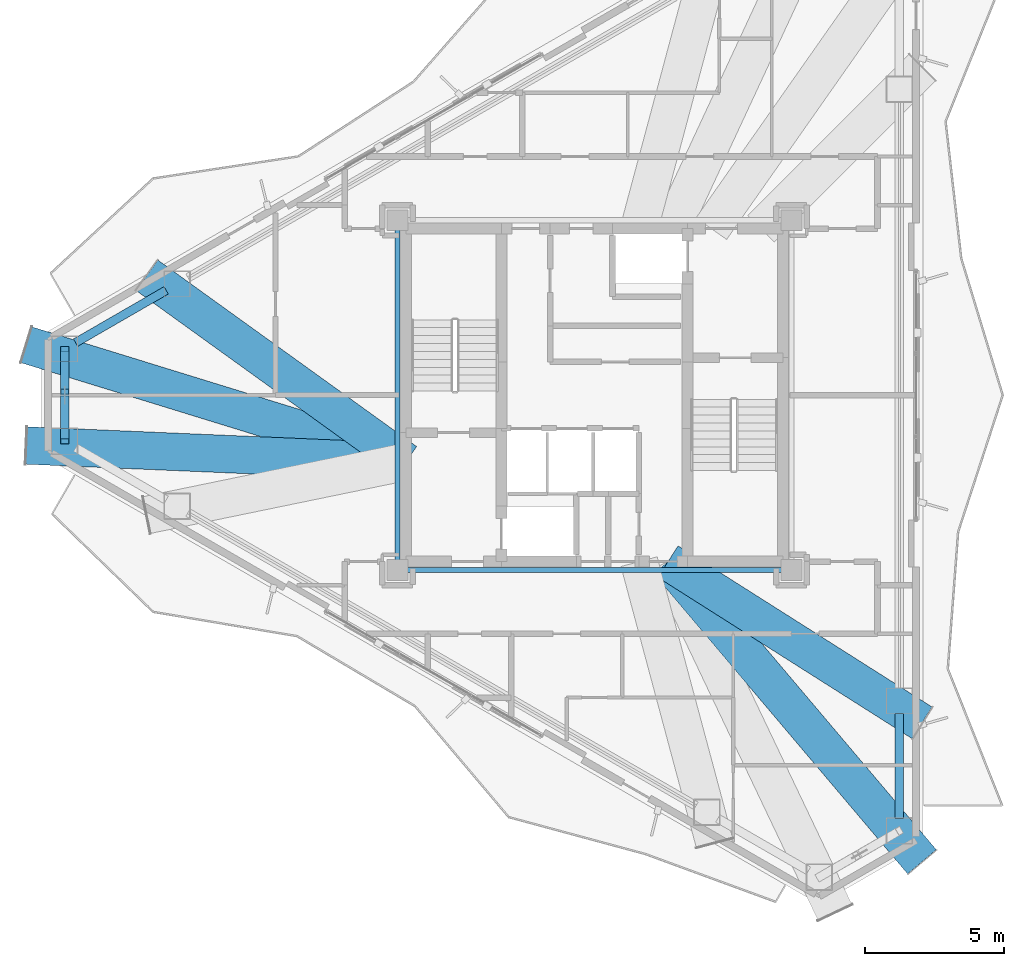
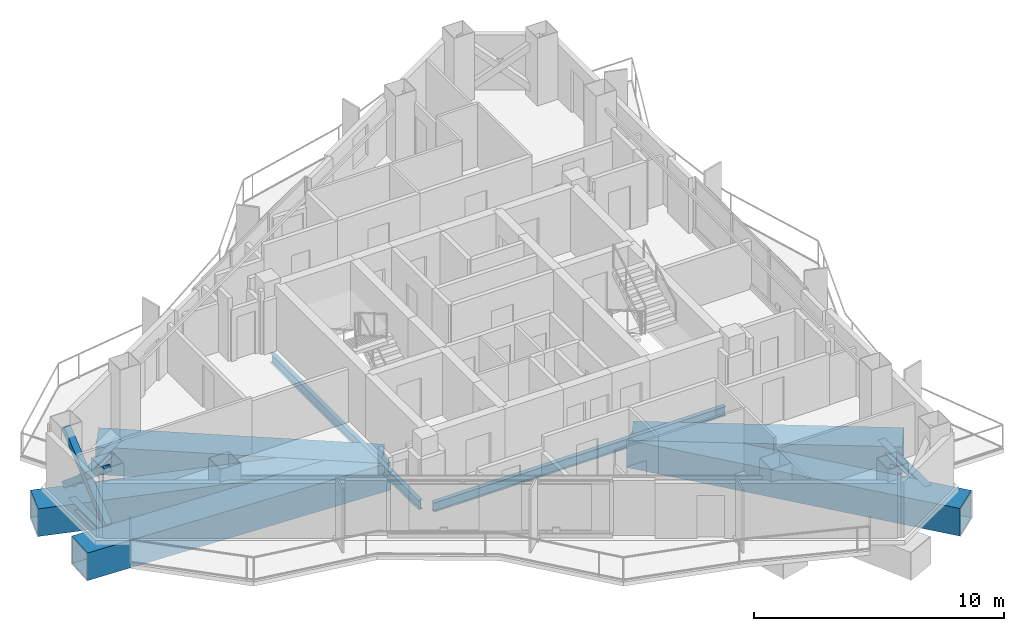
# One storey, part 5 of 19: 10 beams, 3 members.
"""IFC4 building model written with IfcOpenShell, lengths in metres."""

from ifc_helpers import new_model, si_unit, direction, frame, origin, origin_2d, place, context, subcontext, project, spatial, hollow_rectangle, i_section, extrude, material, material_profile, profile_set, type_object, element, save


model = new_model("IFC4")

# Units and contexts
model_context = context("Model", 3, precision=1e-05, world=origin(), true_north=direction((0.0, 1.0)))
body_context = subcontext(model_context, "Body", "Model", "MODEL_VIEW")
ifc_project = project(units=[si_unit("LENGTHUNIT", "METRE"), si_unit("AREAUNIT", "SQUARE_METRE"), si_unit("VOLUMEUNIT", "CUBIC_METRE"), si_unit("PLANEANGLEUNIT", "RADIAN"), si_unit("MASSUNIT", "GRAM", prefix="KILO")], contexts=[model_context])

# Site, building, storey
site_placement = place(None, origin())
site = spatial("IfcSite", under=ifc_project, at=site_placement, CompositionType="ELEMENT")
building_placement = place(site_placement, origin())
building = spatial("IfcBuilding", under=site, at=building_placement, Name="Mersakhor Tower and Convention Hall", CompositionType="ELEMENT")
storey_placement = place(building_placement, frame((0.0, 0.0, 175.5)))
storey = spatial("IfcBuildingStorey", under=building, at=storey_placement, Name="L48", CompositionType="ELEMENT", Elevation=175.5)

# Beams
ifc_material_1 = material(Name="Steel S355", Category="steel")
ifc_material_profile_1 = material_profile(ifc_material_1, i_section(OverallWidth=0.19140625, OverallDepth=0.4599609375, WebThickness=0.010009765625, FlangeThickness=0.01611328125, at=origin_2d()), Name="UB 457x191x82")
ifc_profile_set_1 = profile_set([ifc_material_profile_1], Name="Steel S355")
beam_type_1 = type_object("IfcBeamType", Name="BM-FB-457", PredefinedType="BEAM", material=ifc_profile_set_1)
beam_1_placement = place(storey_placement, frame((21.89990234375, 20.804931640625, -0.4599609375), z_axis=(0.0, 1.0, 0.0), x_axis=(-1.0, 0.0, 0.0)))
element("IfcBeam", 1, at=beam_1_placement, inside=storey, type_object=beam_type_1, Name="L48 Core Ring Tie Beam CRB-1", PredefinedType="BEAM", context=body_context, shape_type="SweptSolid", body=[
    extrude(i_section(OverallWidth=0.19140625, OverallDepth=0.4599609375, WebThickness=0.010009765625, FlangeThickness=0.01611328125, at=origin_2d()), origin(), (0.0, 0.0, 1.0), 11.89013671875),
])
beam_2_placement = place(storey_placement, frame((35.7451171875, 20.449951171875, -0.4599609375), z_axis=(-1.0, 0.0, 0.0), x_axis=(0.0, -1.0, 0.0)))
element("IfcBeam", 2, at=beam_2_placement, inside=storey, type_object=beam_type_1, Name="L48 Core Ring Tie Beam CRB-4", PredefinedType="BEAM", context=body_context, shape_type="SweptSolid", body=[
    extrude(i_section(OverallWidth=0.19140625, OverallDepth=0.4599609375, WebThickness=0.010009765625, FlangeThickness=0.01611328125, at=origin_2d()), origin(), (0.0, 0.0, 1.0), 13.490234375),
])
ifc_material_2 = material(Name="Steel S355", Category="steel")
ifc_material_profile_2 = material_profile(ifc_material_2, i_section(OverallWidth=0.30908203125, OverallDepth=0.320556640625, WebThickness=0.013916015625, FlangeThickness=0.021728515625, at=origin_2d()), Name="UC 305x305x137")
ifc_profile_set_2 = profile_set([ifc_material_profile_2], Name="Steel S355")
beam_type_2 = type_object("IfcBeamType", Name="BM-SPD-UC305", PredefinedType="SPANDREL", material=ifc_profile_set_2)
for number, where, z_axis, x_axis, name in (
    (3, (10.301513671875, 28.642822265625, -0.39013671875), (0.866046450459, 0.499963544319, 0.0), (-0.499963544319, 0.866046450459, 0.0), "L48 Perimeter Spandrel Beam SPB-01"),
    (4, (39.98828125, 15.272216796875, -0.39013671875), (0.0, -1.0, 0.0), (1.0, 0.0, 0.0), "L48 Perimeter Spandrel Beam SPB-07"),
):
    element("IfcBeam", number, at=place(storey_placement, frame(where, z_axis=z_axis, x_axis=x_axis)), inside=storey, type_object=beam_type_2, Name=name, PredefinedType="SPANDREL", context=body_context, shape_type="SweptSolid", body=[
        extrude(i_section(OverallWidth=0.30908203125, OverallDepth=0.320556640625, WebThickness=0.013916015625, FlangeThickness=0.021728515625, at=origin_2d()), origin(), (0.0, 0.0, 1.0), 3.769287109375),
    ])
beam_3_placement = place(storey_placement, frame((9.907470703125, 25.539794921875, -0.39013671875), z_axis=(0.0, 1.0, 0.0), x_axis=(-1.0, 0.0, 0.0)))
element("IfcBeam", 5, at=beam_3_placement, inside=storey, type_object=beam_type_2, Name="L48 Perimeter Spandrel Beam SPB-12", PredefinedType="SPANDREL", context=body_context, shape_type="SweptSolid", body=[
    extrude(i_section(OverallWidth=0.30908203125, OverallDepth=0.320556640625, WebThickness=0.013916015625, FlangeThickness=0.021728515625, at=origin_2d()), origin(), (0.0, 0.0, 1.0), 2.42041015625),
])
ifc_material_3 = material(Name="Steel S460", Category="steel")
ifc_material_profile_3 = material_profile(ifc_material_3, hollow_rectangle(XDim=1.35009765625, YDim=1.35009765625, WallThickness=0.035888671875, at=origin_2d()), Name="SHS 1350x1350x36")
ifc_profile_set_3 = profile_set([ifc_material_profile_3], Name="Steel S460")
beam_type_3 = type_object("IfcBeamType", Name="BM-TR-BOX1350", PredefinedType="BEAM", material=ifc_profile_set_3)
beam_4_placement = place(storey_placement, frame((8.533935546875, 28.563720703125, -0.905029296875), z_axis=(0.955607945333, -0.294641230679, 0.0), x_axis=(0.294641230679, 0.955607945333, 0.0)))
element("IfcBeam", 6, at=beam_4_placement, inside=storey, type_object=beam_type_3, Name="L48 Taper Step Transfer Girder STG-01", PredefinedType="BEAM", context=body_context, shape_type="SweptSolid", body=[
    extrude(hollow_rectangle(XDim=1.35009765625, YDim=1.35009765625, WallThickness=0.035888671875, at=origin_2d()), origin(), (0.0, 0.0, 1.0), 14.30078125),
])
beam_5_placement = place(storey_placement, frame((12.8740234375, 31.069580078125, -0.905029296875), z_axis=(0.811335684257, -0.584580539747, 0.0), x_axis=(0.584580539747, 0.811335684257, 0.0)))
element("IfcBeam", 7, at=beam_5_placement, inside=storey, type_object=beam_type_3, Name="L48 Taper Step Transfer Girder STG-02", PredefinedType="BEAM", context=body_context, shape_type="SweptSolid", body=[
    extrude(hollow_rectangle(XDim=1.35009765625, YDim=1.35009765625, WallThickness=0.035888671875, at=origin_2d()), origin(), (0.0, 0.0, 1.0), 11.49462890625),
])
beam_6_placement = place(storey_placement, frame((40.8037109375, 14.9443359375, -0.905029296875), z_axis=(-0.844474787594, 0.535595307222, 0.0), x_axis=(-0.535595307222, -0.844474787594, 0.0)))
element("IfcBeam", 8, at=beam_6_placement, inside=storey, type_object=beam_type_3, Name="L48 Taper Step Transfer Girder STG-07", PredefinedType="BEAM", context=body_context, shape_type="SweptSolid", body=[
    extrude(hollow_rectangle(XDim=1.35009765625, YDim=1.35009765625, WallThickness=0.035888671875, at=origin_2d()), origin(), (0.0, 0.0, 1.0), 10.839599609375),
])
beam_7_placement = place(storey_placement, frame((40.8037109375, 9.9326171875, -0.905029296875), z_axis=(-0.645968499821, 0.763364065986, 0.0), x_axis=(-0.763364065986, -0.645968499821, 0.0)))
element("IfcBeam", 9, at=beam_7_placement, inside=storey, type_object=beam_type_3, Name="L48 Taper Step Transfer Girder STG-08", PredefinedType="BEAM", context=body_context, shape_type="SweptSolid", body=[
    extrude(hollow_rectangle(XDim=1.35009765625, YDim=1.35009765625, WallThickness=0.035888671875, at=origin_2d()), origin(), (0.0, 0.0, 1.0), 14.170654296875),
])
beam_8_placement = place(storey_placement, frame((8.533935546875, 24.936279296875, -0.905029296875), z_axis=(0.999081346292, -0.042853978713, 0.0), x_axis=(0.042853978713, 0.999081346292, 0.0)))
element("IfcBeam", 10, at=beam_8_placement, inside=storey, type_object=beam_type_3, Name="L48 Taper Step Transfer Girder STG-12", PredefinedType="BEAM", context=body_context, shape_type="SweptSolid", body=[
    extrude(hollow_rectangle(XDim=1.35009765625, YDim=1.35009765625, WallThickness=0.035888671875, at=origin_2d()), origin(), (0.0, 0.0, 1.0), 13.678466796875),
])

# Members
ifc_material_4 = material(Name="Steel S355", Category="steel")
ifc_material_profile_4 = material_profile(ifc_material_4, hollow_rectangle(XDim=0.300048828125, YDim=0.300048828125, WallThickness=0.01611328125, at=origin_2d()), Name="SHS 300x300x16")
ifc_profile_set_4 = profile_set([ifc_material_profile_4], Name="Steel S355")
member_type = type_object("IfcMemberType", Name="MB-BRC-SHS300", PredefinedType="BRACE", material=ifc_profile_set_4)
member_1_placement = place(storey_placement, frame((9.907470703125, 25.084716796875, 0.14990234375), z_axis=(0.0, 0.768839937868, 0.639441279508), x_axis=(-1.0, 0.0, 0.0)))
element("IfcMember", 11, at=member_1_placement, inside=storey, type_object=member_type, Name="L48 Chamfer Braced Frame Diagonal CB-3A", PredefinedType="BRACE", context=body_context, shape_type="SweptSolid", body=[
    extrude(hollow_rectangle(XDim=0.300048828125, YDim=0.300048828125, WallThickness=0.01611328125, at=origin_2d()), origin(), (0.0, 0.0, 1.0), 4.33203125),
])
member_2_placement = place(storey_placement, frame((9.907470703125, 28.415283203125, 0.14990234375), z_axis=(0.0, -0.768839543052, 0.63944175422), x_axis=(1.0, 0.0, 0.0)))
element("IfcMember", 12, at=member_2_placement, inside=storey, type_object=member_type, Name="L48 Chamfer Braced Frame Diagonal CB-3B Lower Half", PredefinedType="BRACE", context=body_context, shape_type="SweptSolid", body=[
    extrude(hollow_rectangle(XDim=0.300048828125, YDim=0.300048828125, WallThickness=0.01611328125, at=origin_2d()), origin(), (0.0, 0.0, 1.0), 2.005615234375),
])
member_3_placement = place(storey_placement, frame((9.907470703125, 26.626708984375, 1.6376953125), z_axis=(0.0, -0.768899389676, 0.639369790149), x_axis=(1.0, 0.0, 0.0)))
element("IfcMember", 13, at=member_3_placement, inside=storey, type_object=member_type, Name="L48 Chamfer Braced Frame Diagonal CB-3B Upper Half", PredefinedType="BRACE", context=body_context, shape_type="SweptSolid", body=[
    extrude(hollow_rectangle(XDim=0.300048828125, YDim=0.300048828125, WallThickness=0.01611328125, at=origin_2d()), origin(), (0.0, 0.0, 1.0), 2.00537109375),
])

save(model, "model.ifc")
